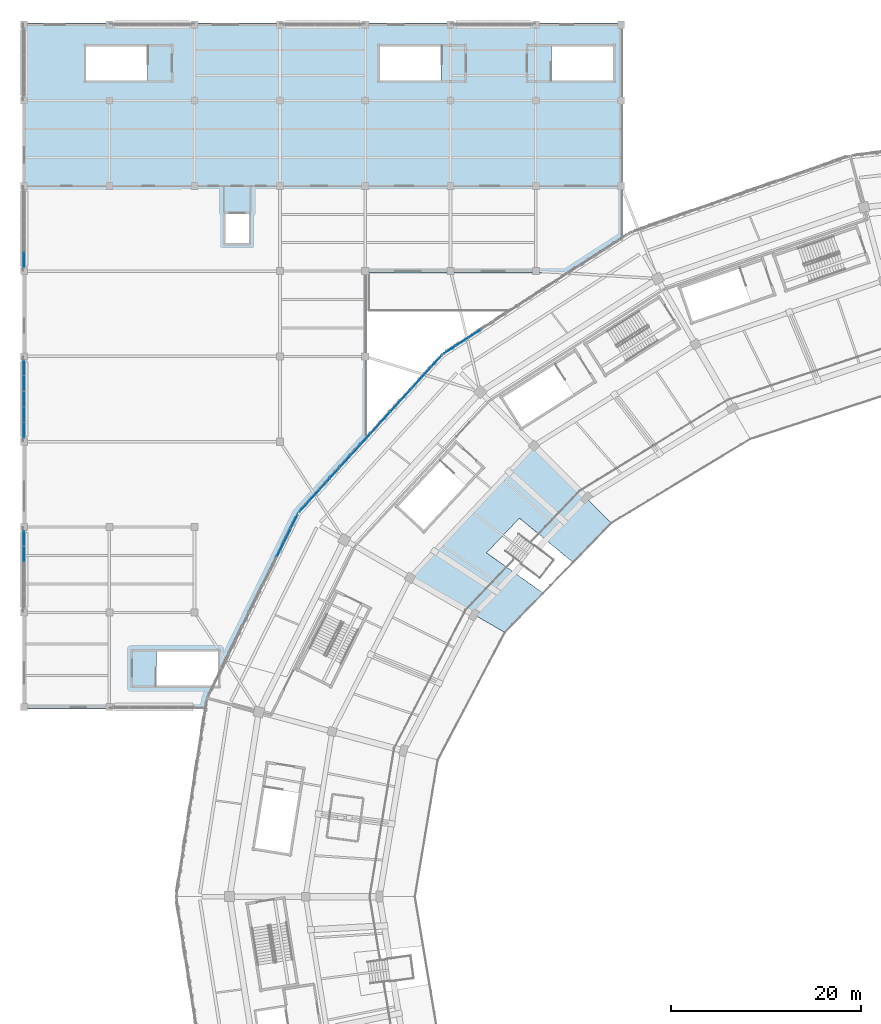
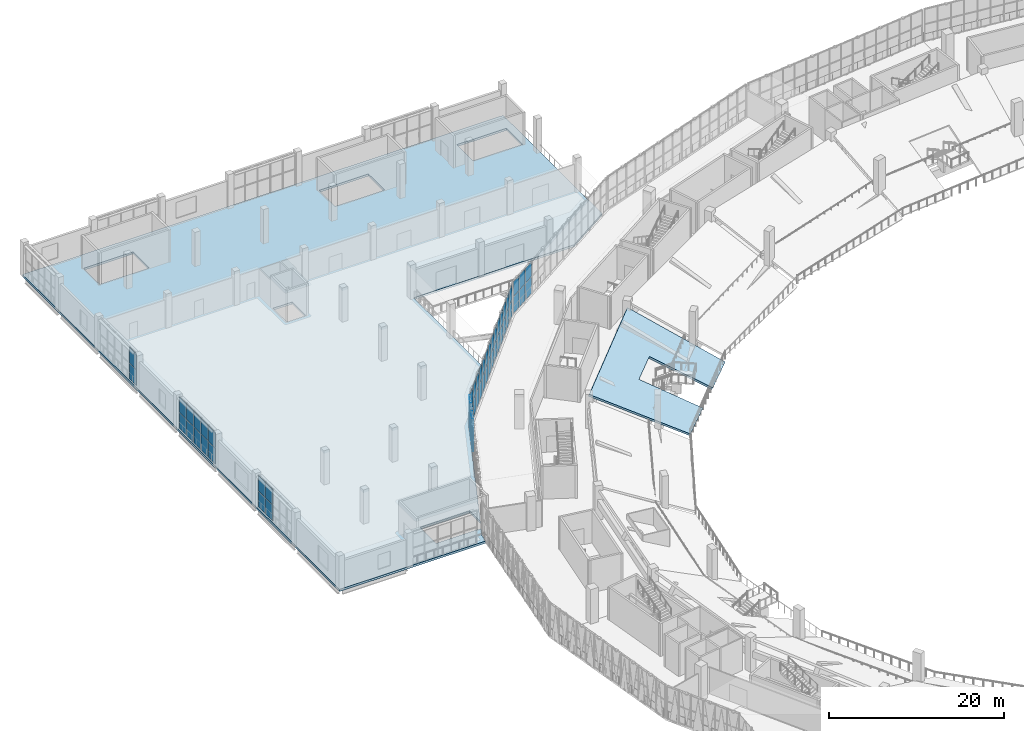
# One storey, part 82 of 152: 56 plates, 2 slabs, 6 elements without a shape of their own.
"""IFC4 building model written with IfcOpenShell, lengths in metres."""

import ifcopenshell
import ifcopenshell.guid

model = None  # the IFC model being written
_history = None  # IfcOwnerHistory: only IFC2X3 demands one
_inside = {}  # id of a spatial element -> (the spatial element, [elements in it])
_under = {}  # id of a project, library or spatial element -> (it, [spatial elements below it])
_declared = {}  # id of a project -> (the project, [libraries it declares])
_typed = {}  # id of a type object -> (the type object, [elements of that type])
_made_of = {}  # id of a material, layer set ... -> (it, [elements and type objects made of it])


def new_model(schema):
    """Start an empty IFC model of exactly this schema.

    Asked for "IFC4X3", IfcOpenShell would pick the latest addendum, in which some entities
    have other attributes; the version numbers below select the first issue.
    IFC2X3 requires an IfcOwnerHistory on every rooted entity: one is made here for all.
    """
    global model, _history
    if schema == "IFC4X3":
        model = ifcopenshell.file(schema_version=(4, 3, 0, 0))
    else:
        model = ifcopenshell.file(schema=schema)
    _inside.clear()
    _under.clear()
    _declared.clear()
    _typed.clear()
    _made_of.clear()
    _history = None
    if model.schema == "IFC2X3":
        org = make("IfcOrganization", Name="unknown")
        user = make(
            "IfcPersonAndOrganization",
            ThePerson=make("IfcPerson", FamilyName="unknown"),
            TheOrganization=org,
        )
        app = make(
            "IfcApplication",
            ApplicationDeveloper=org,
            Version="unknown",
            ApplicationFullName="unknown",
            ApplicationIdentifier="unknown",
        )
        _history = make(
            "IfcOwnerHistory",
            OwningUser=user,
            OwningApplication=app,
            ChangeAction="ADDED",
            CreationDate=0,
        )
    return model


def make(cls, **values):
    """One entity of the class cls with the attributes given. An attribute that is None is left unset."""
    return model.create_entity(
        cls, **{name: value for name, value in values.items() if value is not None}
    )


def rooted(cls, **values):
    """An entity with a GlobalId (a new one), such as an element, a storey or a relation."""
    return make(cls, GlobalId=ifcopenshell.guid.new(), OwnerHistory=_history, **values)


def si_unit(unit_type, name, prefix=None):
    """IfcSIUnit, for example si_unit("LENGTHUNIT", "METRE", prefix="MILLI")."""
    return make("IfcSIUnit", UnitType=unit_type, Prefix=prefix, Name=name)


def assignment(units):
    """IfcUnitAssignment: the units of a project."""
    return None if units is None else make("IfcUnitAssignment", Units=units)


def point(xyz):
    """IfcCartesianPoint."""
    return None if xyz is None else make("IfcCartesianPoint", Coordinates=xyz)


def direction(xyz):
    """IfcDirection."""
    return None if xyz is None else make("IfcDirection", DirectionRatios=xyz)


def frame(location, z_axis=None, x_axis=None):
    """IfcAxis2Placement3D, a coordinate frame: its origin and axes. An axis left out is left unset."""
    return make(
        "IfcAxis2Placement3D",
        Location=point(location),
        Axis=direction(z_axis),
        RefDirection=direction(x_axis),
    )


def frame_2d(location, x_axis=None):
    """IfcAxis2Placement2D, a coordinate frame in the plane: its origin and x axis."""
    return make(
        "IfcAxis2Placement2D", Location=point(location), RefDirection=direction(x_axis)
    )


def origin():
    """The frame at (0, 0, 0) with its axes left unset."""
    return frame((0.0, 0.0, 0.0))


def origin_2d():
    """The frame at (0, 0) in the plane with its x axis left unset."""
    return frame_2d((0.0, 0.0))


def place(relative_to, where):
    """IfcLocalPlacement: puts the frame where relative to a parent placement (None: the world)."""
    return make(
        "IfcLocalPlacement", PlacementRelTo=relative_to, RelativePlacement=where
    )


def context(
    kind, dimensions, precision=None, world=None, true_north=None, identifier=None
):
    """IfcGeometricRepresentationContext, for example the 3D "Model" context."""
    return make(
        "IfcGeometricRepresentationContext",
        ContextIdentifier=identifier,
        ContextType=kind,
        CoordinateSpaceDimension=dimensions,
        Precision=precision,
        WorldCoordinateSystem=world,
        TrueNorth=true_north,
    )


def subcontext(parent, identifier, kind, view, scale=None):
    """IfcGeometricRepresentationSubContext, for example "Body" below "Model"."""
    return make(
        "IfcGeometricRepresentationSubContext",
        ContextIdentifier=identifier,
        ContextType=kind,
        ParentContext=parent,
        TargetScale=scale,
        TargetView=view,
    )


def project(units=None, contexts=None):
    """IfcProject with its units and contexts."""
    return rooted(
        "IfcProject",
        Name="project",
        RepresentationContexts=contexts,
        UnitsInContext=assignment(units),
    )


def spatial(cls, under=None, at=None, **own):
    """A site, building, storey or space (cls), placed at a placement, below another one or the project."""
    s = rooted(cls, ObjectPlacement=at, **own)
    if under is not None:
        _under.setdefault(under.id(), (under, []))[1].append(s)
    return s


def polyline(points):
    """IfcPolyline through the points."""
    return make("IfcPolyline", Points=[point(p) for p in points])


def profile(cls, at=None, kind="AREA", **sizes):
    """A parametric profile (cls). Its sizes go by their IFC names, for example OverallWidth=200.0."""
    return make(cls, ProfileType=kind, Position=at, **sizes)


def rectangle(**sizes):
    """IfcRectangleProfileDef."""
    return profile("IfcRectangleProfileDef", **sizes)


def outline(outer, holes=None, kind="AREA"):
    """IfcArbitraryClosedProfileDef: a profile drawn as a closed curve; with holes, ...WithVoids."""
    if holes is None:
        return make("IfcArbitraryClosedProfileDef", ProfileType=kind, OuterCurve=outer)
    return make(
        "IfcArbitraryProfileDefWithVoids",
        ProfileType=kind,
        OuterCurve=outer,
        InnerCurves=holes,
    )


def extrude(swept, where, along, depth):
    """IfcExtrudedAreaSolid: the profile swept, set in the frame where, extruded along a direction by depth."""
    return make(
        "IfcExtrudedAreaSolid",
        SweptArea=swept,
        Position=where,
        ExtrudedDirection=direction(along),
        Depth=depth,
    )


def shape(context_of_items, identifier, shape_type, items):
    """IfcShapeRepresentation: the items that make up one representation, for example the "Body"."""
    return make(
        "IfcShapeRepresentation",
        ContextOfItems=context_of_items,
        RepresentationIdentifier=identifier,
        RepresentationType=shape_type,
        Items=items,
    )


def material(Name=None, Category=None):
    """IfcMaterial."""
    return make("IfcMaterial", Name=Name, Category=Category)


def layer(
    of_material, thickness, ventilated=None, Name=None, Category=None, Priority=None
):
    """IfcMaterialLayer: one layer of a wall or slab, of a material (None: an air gap)."""
    return make(
        "IfcMaterialLayer",
        Material=of_material,
        LayerThickness=thickness,
        IsVentilated=ventilated,
        Name=Name,
        Category=Category,
        Priority=Priority,
    )


def layer_set(layers, Name=None):
    """IfcMaterialLayerSet."""
    return make("IfcMaterialLayerSet", MaterialLayers=layers, LayerSetName=Name)


def made_of(thing, what):
    """Note that an element or type object is made of a material, layer set ...; save() writes the relation."""
    if what is not None:
        _made_of.setdefault(what.id(), (what, []))[1].append(thing)
    return thing


def type_object(cls, material=None, **own):
    """A type object (cls), such as IfcWallType, which elements share."""
    return made_of(rooted(cls, **own), material)


def element(
    cls,
    number,
    at=None,
    inside=None,
    cuts=None,
    type_object=None,
    material=None,
    context=None,
    identifier="Body",
    shape_type=None,
    held_by="IfcProductDefinitionShape",
    body=None,
    shapes=None,
    **own,
):
    """One element of the class cls, such as IfcWall. Its Tag is "e" and its number.

    at: its placement. inside: the storey or other place that contains it. cuts: it is an
    opening in that element (IfcRelVoidsElement). A single representation is given by context,
    identifier, shape_type and body (its items); several are given by shapes. held_by: the class
    of the entity that holds the representations. save() writes the other relations.
    """
    e = rooted(cls, Tag="e%d" % number, ObjectPlacement=at, **own)
    if body is not None:
        shapes = [shape(context, identifier, shape_type, body)]
    if shapes is not None:
        e.Representation = make(held_by, Representations=shapes)
    if inside is not None:
        _inside.setdefault(inside.id(), (inside, []))[1].append(e)
    if cuts is not None:
        rooted(
            "IfcRelVoidsElement", RelatingBuildingElement=cuts, RelatedOpeningElement=e
        )
    if type_object is not None:
        _typed.setdefault(type_object.id(), (type_object, []))[1].append(e)
    return made_of(e, material)


def aggregate(whole, parts):
    """IfcRelAggregates: a whole, such as a stair, and the parts it consists of."""
    return rooted("IfcRelAggregates", RelatingObject=whole, RelatedObjects=parts)


def save(model, path):
    """Write the relations noted so far, then the file.

    IfcRelAggregates (storeys below a building ...), IfcRelContainedInSpatialStructure (elements
    in a storey), IfcRelDefinesByType, IfcRelAssociatesMaterial and IfcRelDeclares: one each for
    every whole, place, type object, material and project.
    """
    for whole, parts in _under.values():
        aggregate(whole, parts)
    for where, things in _inside.values():
        rooted(
            "IfcRelContainedInSpatialStructure",
            RelatedElements=things,
            RelatingStructure=where,
        )
    for kind, things in _typed.values():
        rooted("IfcRelDefinesByType", RelatedObjects=things, RelatingType=kind)
    for what, things in _made_of.values():
        rooted("IfcRelAssociatesMaterial", RelatedObjects=things, RelatingMaterial=what)
    for by, libraries in _declared.values():
        rooted("IfcRelDeclares", RelatingContext=by, RelatedDefinitions=libraries)
    model.write(path)


model = new_model("IFC4")

# Units and contexts
model_context = context("Model", 3, precision=1e-05, world=origin(), true_north=direction((0.0, 1.0)))
body_context = subcontext(model_context, "Body", "Model", "MODEL_VIEW")
ifc_project = project(units=[si_unit("LENGTHUNIT", "METRE"), si_unit("AREAUNIT", "SQUARE_METRE"), si_unit("VOLUMEUNIT", "CUBIC_METRE"), si_unit("PLANEANGLEUNIT", "RADIAN"), si_unit("MASSUNIT", "GRAM", prefix="KILO")], contexts=[model_context])

# Site, building, storey
site_placement = place(None, origin())
site = spatial("IfcSite", under=ifc_project, at=site_placement, CompositionType="ELEMENT")
building_placement = place(site_placement, origin())
building = spatial("IfcBuilding", under=site, at=building_placement, Name="Zevraka Park Crest Stadium", CompositionType="ELEMENT")
storey_placement = place(building_placement, frame((0.0, 0.0, 15.0)))
storey = spatial("IfcBuildingStorey", under=building, at=storey_placement, Name="L03", CompositionType="ELEMENT", Elevation=15.0)

# Curtain wall, plates
ifc_material_1 = material(Name="Anodised architectural aluminium and laminated safety glass", Category="aluminium")
curtain_wall_type_1 = type_object("IfcCurtainWallType", Name="CW12", PredefinedType="NOTDEFINED", material=ifc_material_1)
curtain_wall_1_placement = place(storey_placement, origin())
curtain_wall_1 = element("IfcCurtainWall", 1, at=curtain_wall_1_placement, inside=storey, type_object=curtain_wall_type_1, Name="Unitised Ring Curtain Wall CW12 L03-10", PredefinedType="NOTDEFINED")
ifc_material_2 = material(Name="Solar-control laminated double glazing", Category="glass")
ifc_layer_1 = layer(ifc_material_2, 0.028076171875)
ifc_layer_set_1 = layer_set([ifc_layer_1], Name="Solar-control laminated double glazing")
plate_type_1 = type_object("IfcPlateType", Name="CP12", PredefinedType="CURTAIN_PANEL", material=ifc_layer_set_1)
plate_1_placement = place(storey_placement, frame((28.500244140625, 131.58154296875, 0.070068359375), z_axis=(0.0, 0.0, 1.0), x_axis=(-0.440666370912, -0.897670958396, 0.0)))
plate_1 = element("IfcPlate", 2, at=plate_1_placement, type_object=plate_type_1, Name="CW12 panel 1.1", PredefinedType="CURTAIN_PANEL", context=body_context, shape_type="SweptSolid", body=[
    extrude(rectangle(XDim=1.547607421875, YDim=0.028076171875, at=origin_2d()), origin(), (0.0, 0.0, 1.0), 2.294921875),
])
plate_2_placement = place(storey_placement, frame((28.500244140625, 131.58154296875, 2.43505859375), z_axis=(0.0, 0.0, 1.0), x_axis=(-0.440666370912, -0.897670958396, 0.0)))
plate_2 = element("IfcPlate", 3, at=plate_2_placement, type_object=plate_type_1, Name="CW12 panel 1.2", PredefinedType="CURTAIN_PANEL", context=body_context, shape_type="SweptSolid", body=[
    extrude(rectangle(XDim=1.547607421875, YDim=0.028076171875, at=origin_2d()), origin(), (0.0, 0.0, 1.0), 2.034912109375),
])
plate_3_placement = place(storey_placement, frame((27.779541015625, 130.11376953125, 0.070068359375), z_axis=(0.0, 0.0, 1.0), x_axis=(-0.440666370912, -0.897670958396, 0.0)))
plate_3 = element("IfcPlate", 4, at=plate_3_placement, type_object=plate_type_1, Name="CW12 panel 2.1", PredefinedType="CURTAIN_PANEL", context=body_context, shape_type="SweptSolid", body=[
    extrude(rectangle(XDim=1.58251953125, YDim=0.028076171875, at=origin_2d()), origin(), (0.0, 0.0, 1.0), 2.294921875),
])
plate_4_placement = place(storey_placement, frame((27.779541015625, 130.11376953125, 2.43505859375), z_axis=(0.0, 0.0, 1.0), x_axis=(-0.440666370912, -0.897670958396, 0.0)))
plate_4 = element("IfcPlate", 5, at=plate_4_placement, type_object=plate_type_1, Name="CW12 panel 2.2", PredefinedType="CURTAIN_PANEL", context=body_context, shape_type="SweptSolid", body=[
    extrude(rectangle(XDim=1.58251953125, YDim=0.028076171875, at=origin_2d()), origin(), (0.0, 0.0, 1.0), 2.034912109375),
])
plate_5_placement = place(storey_placement, frame((27.051513671875, 128.63037109375, 0.070068359375), z_axis=(0.0, 0.0, 1.0), x_axis=(-0.440666370912, -0.897670958396, 0.0)))
plate_5 = element("IfcPlate", 6, at=plate_5_placement, type_object=plate_type_1, Name="CW12 panel 3.1", PredefinedType="CURTAIN_PANEL", context=body_context, shape_type="SweptSolid", body=[
    extrude(rectangle(XDim=1.58251953125, YDim=0.028076171875, at=origin_2d()), origin(), (0.0, 0.0, 1.0), 2.294921875),
])
plate_6_placement = place(storey_placement, frame((27.051513671875, 128.63037109375, 2.43505859375), z_axis=(0.0, 0.0, 1.0), x_axis=(-0.440666370912, -0.897670958396, 0.0)))
plate_6 = element("IfcPlate", 7, at=plate_6_placement, type_object=plate_type_1, Name="CW12 panel 3.2", PredefinedType="CURTAIN_PANEL", context=body_context, shape_type="SweptSolid", body=[
    extrude(rectangle(XDim=1.58251953125, YDim=0.028076171875, at=origin_2d()), origin(), (0.0, 0.0, 1.0), 2.034912109375),
])
aggregate(curtain_wall_1, [plate_1, plate_2, plate_3, plate_4, plate_5, plate_6])

ifc_material_3 = material(Name="Anodised architectural aluminium and laminated safety glass", Category="aluminium")
curtain_wall_type_2 = type_object("IfcCurtainWallType", Name="CW13", PredefinedType="NOTDEFINED", material=ifc_material_3)
curtain_wall_2_placement = place(storey_placement, origin())
curtain_wall_2 = element("IfcCurtainWall", 8, at=curtain_wall_2_placement, inside=storey, type_object=curtain_wall_type_2, Name="Unitised Ring Curtain Wall CW13 L03-08", PredefinedType="NOTDEFINED")
ifc_material_4 = material(Name="Solar-control laminated double glazing", Category="glass")
ifc_layer_2 = layer(ifc_material_4, 0.031982421875)
ifc_layer_set_2 = layer_set([ifc_layer_2], Name="Solar-control laminated double glazing")
plate_type_2 = type_object("IfcPlateType", Name="CP13", PredefinedType="CURTAIN_PANEL", material=ifc_layer_set_2)
plate_7_placement = place(storey_placement, frame((47.553466796875, 151.405029296875, 0.06005859375), z_axis=(0.0, 0.0, 1.0), x_axis=(-0.839429134517, -0.543469160232, 0.0)))
plate_7 = element("IfcPlate", 9, at=plate_7_placement, type_object=plate_type_2, Name="CW13 panel 13.1", PredefinedType="CURTAIN_PANEL", context=body_context, shape_type="SweptSolid", body=[
    extrude(rectangle(XDim=1.500244140625, YDim=0.031982421875, at=origin_2d()), origin(), (0.0, 0.0, 1.0), 2.31005859375),
])
plate_8_placement = place(storey_placement, frame((47.553466796875, 151.405029296875, 2.43017578125), z_axis=(0.0, 0.0, 1.0), x_axis=(-0.839429134517, -0.543469160232, 0.0)))
plate_8 = element("IfcPlate", 10, at=plate_8_placement, type_object=plate_type_2, Name="CW13 panel 13.2", PredefinedType="CURTAIN_PANEL", context=body_context, shape_type="SweptSolid", body=[
    extrude(rectangle(XDim=1.500244140625, YDim=0.031982421875, at=origin_2d()), origin(), (0.0, 0.0, 1.0), 2.050048828125),
])
plate_9_placement = place(storey_placement, frame((46.24365234375, 150.556884765625, 0.06005859375), z_axis=(0.0, 0.0, 1.0), x_axis=(-0.839429134517, -0.543469160232, 0.0)))
plate_9 = element("IfcPlate", 11, at=plate_9_placement, type_object=plate_type_2, Name="CW13 panel 14.1", PredefinedType="CURTAIN_PANEL", context=body_context, shape_type="SweptSolid", body=[
    extrude(rectangle(XDim=1.500244140625, YDim=0.031982421875, at=origin_2d()), origin(), (0.0, 0.0, 1.0), 2.31005859375),
])
plate_10_placement = place(storey_placement, frame((46.24365234375, 150.556884765625, 2.43017578125), z_axis=(0.0, 0.0, 1.0), x_axis=(-0.839429134517, -0.543469160232, 0.0)))
plate_10 = element("IfcPlate", 12, at=plate_10_placement, type_object=plate_type_2, Name="CW13 panel 14.2", PredefinedType="CURTAIN_PANEL", context=body_context, shape_type="SweptSolid", body=[
    extrude(rectangle(XDim=1.500244140625, YDim=0.031982421875, at=origin_2d()), origin(), (0.0, 0.0, 1.0), 2.050048828125),
])
plate_11_placement = place(storey_placement, frame((44.946533203125, 149.717041015625, 0.06005859375), z_axis=(0.0, 0.0, 1.0), x_axis=(-0.839429134517, -0.543469160232, 0.0)))
plate_11 = element("IfcPlate", 13, at=plate_11_placement, type_object=plate_type_2, Name="CW13 panel 15.1", PredefinedType="CURTAIN_PANEL", context=body_context, shape_type="SweptSolid", body=[
    extrude(rectangle(XDim=1.470458984375, YDim=0.031982421875, at=origin_2d()), origin(), (0.0, 0.0, 1.0), 2.31005859375),
])
plate_12_placement = place(storey_placement, frame((44.946533203125, 149.717041015625, 2.43017578125), z_axis=(0.0, 0.0, 1.0), x_axis=(-0.839429134517, -0.543469160232, 0.0)))
plate_12 = element("IfcPlate", 14, at=plate_12_placement, type_object=plate_type_2, Name="CW13 panel 15.2", PredefinedType="CURTAIN_PANEL", context=body_context, shape_type="SweptSolid", body=[
    extrude(rectangle(XDim=1.470458984375, YDim=0.031982421875, at=origin_2d()), origin(), (0.0, 0.0, 1.0), 2.050048828125),
])
aggregate(curtain_wall_2, [plate_7, plate_8, plate_9, plate_10, plate_11, plate_12])

curtain_wall_3_placement = place(storey_placement, origin())
curtain_wall_3 = element("IfcCurtainWall", 15, at=curtain_wall_3_placement, inside=storey, type_object=curtain_wall_type_2, Name="Unitised Ring Curtain Wall CW13 L03-09", PredefinedType="NOTDEFINED")
plate_13_placement = place(storey_placement, frame((43.53466796875, 148.51611328125, 0.06005859375), z_axis=(0.0, 0.0, 1.0), x_axis=(-0.672801685845, -0.739822878481, 0.0)))
plate_13 = element("IfcPlate", 16, at=plate_13_placement, type_object=plate_type_2, Name="CW13 panel 1.1", PredefinedType="CURTAIN_PANEL", context=body_context, shape_type="SweptSolid", body=[
    extrude(rectangle(XDim=1.509765625, YDim=0.031982421875, at=origin_2d()), origin(), (0.0, 0.0, 1.0), 2.31005859375),
])
plate_14_placement = place(storey_placement, frame((43.53466796875, 148.51611328125, 2.43017578125), z_axis=(0.0, 0.0, 1.0), x_axis=(-0.672801685845, -0.739822878481, 0.0)))
plate_14 = element("IfcPlate", 17, at=plate_14_placement, type_object=plate_type_2, Name="CW13 panel 1.2", PredefinedType="CURTAIN_PANEL", context=body_context, shape_type="SweptSolid", body=[
    extrude(rectangle(XDim=1.509765625, YDim=0.031982421875, at=origin_2d()), origin(), (0.0, 0.0, 1.0), 2.050048828125),
])
plate_15_placement = place(storey_placement, frame((42.468505859375, 147.34375, 0.06005859375), z_axis=(0.0, 0.0, 1.0), x_axis=(-0.672801685845, -0.739822878481, 0.0)))
plate_15 = element("IfcPlate", 18, at=plate_15_placement, type_object=plate_type_2, Name="CW13 panel 2.1", PredefinedType="CURTAIN_PANEL", context=body_context, shape_type="SweptSolid", body=[
    extrude(rectangle(XDim=1.539794921875, YDim=0.031982421875, at=origin_2d()), origin(), (0.0, 0.0, 1.0), 2.31005859375),
])
plate_16_placement = place(storey_placement, frame((42.468505859375, 147.34375, 2.43017578125), z_axis=(0.0, 0.0, 1.0), x_axis=(-0.672801685845, -0.739822878481, 0.0)))
plate_16 = element("IfcPlate", 19, at=plate_16_placement, type_object=plate_type_2, Name="CW13 panel 2.2", PredefinedType="CURTAIN_PANEL", context=body_context, shape_type="SweptSolid", body=[
    extrude(rectangle(XDim=1.539794921875, YDim=0.031982421875, at=origin_2d()), origin(), (0.0, 0.0, 1.0), 2.050048828125),
])
plate_17_placement = place(storey_placement, frame((41.392333984375, 146.16015625, 0.06005859375), z_axis=(0.0, 0.0, 1.0), x_axis=(-0.672801685845, -0.739822878481, 0.0)))
plate_17 = element("IfcPlate", 20, at=plate_17_placement, type_object=plate_type_2, Name="CW13 panel 3.1", PredefinedType="CURTAIN_PANEL", context=body_context, shape_type="SweptSolid", body=[
    extrude(rectangle(XDim=1.539794921875, YDim=0.031982421875, at=origin_2d()), origin(), (0.0, 0.0, 1.0), 2.31005859375),
])
plate_18_placement = place(storey_placement, frame((41.392333984375, 146.16015625, 2.43017578125), z_axis=(0.0, 0.0, 1.0), x_axis=(-0.672801685845, -0.739822878481, 0.0)))
plate_18 = element("IfcPlate", 21, at=plate_18_placement, type_object=plate_type_2, Name="CW13 panel 3.2", PredefinedType="CURTAIN_PANEL", context=body_context, shape_type="SweptSolid", body=[
    extrude(rectangle(XDim=1.539794921875, YDim=0.031982421875, at=origin_2d()), origin(), (0.0, 0.0, 1.0), 2.050048828125),
])
plate_19_placement = place(storey_placement, frame((40.31591796875, 144.976806640625, 0.06005859375), z_axis=(0.0, 0.0, 1.0), x_axis=(-0.672801685845, -0.739822878481, 0.0)))
plate_19 = element("IfcPlate", 22, at=plate_19_placement, type_object=plate_type_2, Name="CW13 panel 4.1", PredefinedType="CURTAIN_PANEL", context=body_context, shape_type="SweptSolid", body=[
    extrude(rectangle(XDim=1.539794921875, YDim=0.031982421875, at=origin_2d()), origin(), (0.0, 0.0, 1.0), 2.31005859375),
])
plate_20_placement = place(storey_placement, frame((40.31591796875, 144.976806640625, 2.43017578125), z_axis=(0.0, 0.0, 1.0), x_axis=(-0.672801685845, -0.739822878481, 0.0)))
plate_20 = element("IfcPlate", 23, at=plate_20_placement, type_object=plate_type_2, Name="CW13 panel 4.2", PredefinedType="CURTAIN_PANEL", context=body_context, shape_type="SweptSolid", body=[
    extrude(rectangle(XDim=1.539794921875, YDim=0.031982421875, at=origin_2d()), origin(), (0.0, 0.0, 1.0), 2.050048828125),
])
plate_21_placement = place(storey_placement, frame((39.23974609375, 143.793212890625, 0.06005859375), z_axis=(0.0, 0.0, 1.0), x_axis=(-0.672801685845, -0.739822878481, 0.0)))
plate_21 = element("IfcPlate", 24, at=plate_21_placement, type_object=plate_type_2, Name="CW13 panel 5.1", PredefinedType="CURTAIN_PANEL", context=body_context, shape_type="SweptSolid", body=[
    extrude(rectangle(XDim=1.539794921875, YDim=0.031982421875, at=origin_2d()), origin(), (0.0, 0.0, 1.0), 2.31005859375),
])
plate_22_placement = place(storey_placement, frame((39.23974609375, 143.793212890625, 2.43017578125), z_axis=(0.0, 0.0, 1.0), x_axis=(-0.672801685845, -0.739822878481, 0.0)))
plate_22 = element("IfcPlate", 25, at=plate_22_placement, type_object=plate_type_2, Name="CW13 panel 5.2", PredefinedType="CURTAIN_PANEL", context=body_context, shape_type="SweptSolid", body=[
    extrude(rectangle(XDim=1.539794921875, YDim=0.031982421875, at=origin_2d()), origin(), (0.0, 0.0, 1.0), 2.050048828125),
])
plate_23_placement = place(storey_placement, frame((38.163330078125, 142.60986328125, 0.06005859375), z_axis=(0.0, 0.0, 1.0), x_axis=(-0.672801685845, -0.739822878481, 0.0)))
plate_23 = element("IfcPlate", 26, at=plate_23_placement, type_object=plate_type_2, Name="CW13 panel 6.1", PredefinedType="CURTAIN_PANEL", context=body_context, shape_type="SweptSolid", body=[
    extrude(rectangle(XDim=1.539794921875, YDim=0.031982421875, at=origin_2d()), origin(), (0.0, 0.0, 1.0), 2.31005859375),
])
plate_24_placement = place(storey_placement, frame((38.163330078125, 142.60986328125, 2.43017578125), z_axis=(0.0, 0.0, 1.0), x_axis=(-0.672801685845, -0.739822878481, 0.0)))
plate_24 = element("IfcPlate", 27, at=plate_24_placement, type_object=plate_type_2, Name="CW13 panel 6.2", PredefinedType="CURTAIN_PANEL", context=body_context, shape_type="SweptSolid", body=[
    extrude(rectangle(XDim=1.539794921875, YDim=0.031982421875, at=origin_2d()), origin(), (0.0, 0.0, 1.0), 2.050048828125),
])
plate_25_placement = place(storey_placement, frame((37.087158203125, 141.42626953125, 0.06005859375), z_axis=(0.0, 0.0, 1.0), x_axis=(-0.672801685845, -0.739822878481, 0.0)))
plate_25 = element("IfcPlate", 28, at=plate_25_placement, type_object=plate_type_2, Name="CW13 panel 7.1", PredefinedType="CURTAIN_PANEL", context=body_context, shape_type="SweptSolid", body=[
    extrude(rectangle(XDim=1.539794921875, YDim=0.031982421875, at=origin_2d()), origin(), (0.0, 0.0, 1.0), 2.31005859375),
])
plate_26_placement = place(storey_placement, frame((37.087158203125, 141.42626953125, 2.43017578125), z_axis=(0.0, 0.0, 1.0), x_axis=(-0.672801685845, -0.739822878481, 0.0)))
plate_26 = element("IfcPlate", 29, at=plate_26_placement, type_object=plate_type_2, Name="CW13 panel 7.2", PredefinedType="CURTAIN_PANEL", context=body_context, shape_type="SweptSolid", body=[
    extrude(rectangle(XDim=1.539794921875, YDim=0.031982421875, at=origin_2d()), origin(), (0.0, 0.0, 1.0), 2.050048828125),
])
plate_27_placement = place(storey_placement, frame((36.0107421875, 140.24267578125, 0.06005859375), z_axis=(0.0, 0.0, 1.0), x_axis=(-0.672801685845, -0.739822878481, 0.0)))
plate_27 = element("IfcPlate", 30, at=plate_27_placement, type_object=plate_type_2, Name="CW13 panel 8.1", PredefinedType="CURTAIN_PANEL", context=body_context, shape_type="SweptSolid", body=[
    extrude(rectangle(XDim=1.539794921875, YDim=0.031982421875, at=origin_2d()), origin(), (0.0, 0.0, 1.0), 2.31005859375),
])
plate_28_placement = place(storey_placement, frame((36.0107421875, 140.24267578125, 2.43017578125), z_axis=(0.0, 0.0, 1.0), x_axis=(-0.672801685845, -0.739822878481, 0.0)))
plate_28 = element("IfcPlate", 31, at=plate_28_placement, type_object=plate_type_2, Name="CW13 panel 8.2", PredefinedType="CURTAIN_PANEL", context=body_context, shape_type="SweptSolid", body=[
    extrude(rectangle(XDim=1.539794921875, YDim=0.031982421875, at=origin_2d()), origin(), (0.0, 0.0, 1.0), 2.050048828125),
])
plate_29_placement = place(storey_placement, frame((34.9345703125, 139.059326171875, 0.06005859375), z_axis=(0.0, 0.0, 1.0), x_axis=(-0.672801685845, -0.739822878481, 0.0)))
plate_29 = element("IfcPlate", 32, at=plate_29_placement, type_object=plate_type_2, Name="CW13 panel 9.1", PredefinedType="CURTAIN_PANEL", context=body_context, shape_type="SweptSolid", body=[
    extrude(rectangle(XDim=1.539794921875, YDim=0.031982421875, at=origin_2d()), origin(), (0.0, 0.0, 1.0), 2.31005859375),
])
plate_30_placement = place(storey_placement, frame((34.9345703125, 139.059326171875, 2.43017578125), z_axis=(0.0, 0.0, 1.0), x_axis=(-0.672801685845, -0.739822878481, 0.0)))
plate_30 = element("IfcPlate", 33, at=plate_30_placement, type_object=plate_type_2, Name="CW13 panel 9.2", PredefinedType="CURTAIN_PANEL", context=body_context, shape_type="SweptSolid", body=[
    extrude(rectangle(XDim=1.539794921875, YDim=0.031982421875, at=origin_2d()), origin(), (0.0, 0.0, 1.0), 2.050048828125),
])
plate_31_placement = place(storey_placement, frame((33.8583984375, 137.875732421875, 0.06005859375), z_axis=(0.0, 0.0, 1.0), x_axis=(-0.672801685845, -0.739822878481, 0.0)))
plate_31 = element("IfcPlate", 34, at=plate_31_placement, type_object=plate_type_2, Name="CW13 panel 10.1", PredefinedType="CURTAIN_PANEL", context=body_context, shape_type="SweptSolid", body=[
    extrude(rectangle(XDim=1.539794921875, YDim=0.031982421875, at=origin_2d()), origin(), (0.0, 0.0, 1.0), 2.31005859375),
])
plate_32_placement = place(storey_placement, frame((33.8583984375, 137.875732421875, 2.43017578125), z_axis=(0.0, 0.0, 1.0), x_axis=(-0.672801685845, -0.739822878481, 0.0)))
plate_32 = element("IfcPlate", 35, at=plate_32_placement, type_object=plate_type_2, Name="CW13 panel 10.2", PredefinedType="CURTAIN_PANEL", context=body_context, shape_type="SweptSolid", body=[
    extrude(rectangle(XDim=1.539794921875, YDim=0.031982421875, at=origin_2d()), origin(), (0.0, 0.0, 1.0), 2.050048828125),
])
plate_33_placement = place(storey_placement, frame((32.781982421875, 136.692138671875, 0.06005859375), z_axis=(0.0, 0.0, 1.0), x_axis=(-0.672801685845, -0.739822878481, 0.0)))
plate_33 = element("IfcPlate", 36, at=plate_33_placement, type_object=plate_type_2, Name="CW13 panel 11.1", PredefinedType="CURTAIN_PANEL", context=body_context, shape_type="SweptSolid", body=[
    extrude(rectangle(XDim=1.539794921875, YDim=0.031982421875, at=origin_2d()), origin(), (0.0, 0.0, 1.0), 2.31005859375),
])
plate_34_placement = place(storey_placement, frame((32.781982421875, 136.692138671875, 2.43017578125), z_axis=(0.0, 0.0, 1.0), x_axis=(-0.672801685845, -0.739822878481, 0.0)))
plate_34 = element("IfcPlate", 37, at=plate_34_placement, type_object=plate_type_2, Name="CW13 panel 11.2", PredefinedType="CURTAIN_PANEL", context=body_context, shape_type="SweptSolid", body=[
    extrude(rectangle(XDim=1.539794921875, YDim=0.031982421875, at=origin_2d()), origin(), (0.0, 0.0, 1.0), 2.050048828125),
])
plate_35_placement = place(storey_placement, frame((31.705810546875, 135.5087890625, 0.06005859375), z_axis=(0.0, 0.0, 1.0), x_axis=(-0.672801685845, -0.739822878481, 0.0)))
plate_35 = element("IfcPlate", 38, at=plate_35_placement, type_object=plate_type_2, Name="CW13 panel 12.1", PredefinedType="CURTAIN_PANEL", context=body_context, shape_type="SweptSolid", body=[
    extrude(rectangle(XDim=1.539794921875, YDim=0.031982421875, at=origin_2d()), origin(), (0.0, 0.0, 1.0), 2.31005859375),
])
plate_36_placement = place(storey_placement, frame((31.705810546875, 135.5087890625, 2.43017578125), z_axis=(0.0, 0.0, 1.0), x_axis=(-0.672801685845, -0.739822878481, 0.0)))
plate_36 = element("IfcPlate", 39, at=plate_36_placement, type_object=plate_type_2, Name="CW13 panel 12.2", PredefinedType="CURTAIN_PANEL", context=body_context, shape_type="SweptSolid", body=[
    extrude(rectangle(XDim=1.539794921875, YDim=0.031982421875, at=origin_2d()), origin(), (0.0, 0.0, 1.0), 2.050048828125),
])
plate_37_placement = place(storey_placement, frame((30.62939453125, 134.3251953125, 0.06005859375), z_axis=(0.0, 0.0, 1.0), x_axis=(-0.672801685845, -0.739822878481, 0.0)))
plate_37 = element("IfcPlate", 40, at=plate_37_placement, type_object=plate_type_2, Name="CW13 panel 13.1", PredefinedType="CURTAIN_PANEL", context=body_context, shape_type="SweptSolid", body=[
    extrude(rectangle(XDim=1.539794921875, YDim=0.031982421875, at=origin_2d()), origin(), (0.0, 0.0, 1.0), 2.31005859375),
])
plate_38_placement = place(storey_placement, frame((30.62939453125, 134.3251953125, 2.43017578125), z_axis=(0.0, 0.0, 1.0), x_axis=(-0.672801685845, -0.739822878481, 0.0)))
plate_38 = element("IfcPlate", 41, at=plate_38_placement, type_object=plate_type_2, Name="CW13 panel 13.2", PredefinedType="CURTAIN_PANEL", context=body_context, shape_type="SweptSolid", body=[
    extrude(rectangle(XDim=1.539794921875, YDim=0.031982421875, at=origin_2d()), origin(), (0.0, 0.0, 1.0), 2.050048828125),
])
plate_39_placement = place(storey_placement, frame((29.563232421875, 133.15283203125, 0.06005859375), z_axis=(0.0, 0.0, 1.0), x_axis=(-0.672801685845, -0.739822878481, 0.0)))
plate_39 = element("IfcPlate", 42, at=plate_39_placement, type_object=plate_type_2, Name="CW13 panel 14.1", PredefinedType="CURTAIN_PANEL", context=body_context, shape_type="SweptSolid", body=[
    extrude(rectangle(XDim=1.509765625, YDim=0.031982421875, at=origin_2d()), origin(), (0.0, 0.0, 1.0), 2.31005859375),
])
plate_40_placement = place(storey_placement, frame((29.563232421875, 133.15283203125, 2.43017578125), z_axis=(0.0, 0.0, 1.0), x_axis=(-0.672801685845, -0.739822878481, 0.0)))
plate_40 = element("IfcPlate", 43, at=plate_40_placement, type_object=plate_type_2, Name="CW13 panel 14.2", PredefinedType="CURTAIN_PANEL", context=body_context, shape_type="SweptSolid", body=[
    extrude(rectangle(XDim=1.509765625, YDim=0.031982421875, at=origin_2d()), origin(), (0.0, 0.0, 1.0), 2.050048828125),
])
aggregate(curtain_wall_3, [plate_13, plate_14, plate_15, plate_16, plate_17, plate_18, plate_19, plate_20, plate_21, plate_22, plate_23, plate_24, plate_25, plate_26, plate_27, plate_28, plate_29, plate_30, plate_31, plate_32, plate_33, plate_34, plate_35, plate_36, plate_37, plate_38, plate_39, plate_40])

ifc_material_5 = material(Name="Anodised architectural aluminium and laminated safety glass", Category="aluminium")
curtain_wall_type_3 = type_object("IfcCurtainWallType", Name="CW27", PredefinedType="NOTDEFINED", material=ifc_material_5)
curtain_wall_4_placement = place(storey_placement, origin())
curtain_wall_4 = element("IfcCurtainWall", 44, at=curtain_wall_4_placement, inside=storey, type_object=curtain_wall_type_3, Name="Wing Curtain Wall CW27 L03-NW-W-4", PredefinedType="NOTDEFINED")
ifc_material_6 = material(Name="Solar-control laminated double glazing", Category="glass")
ifc_layer_3 = layer(ifc_material_6, 0.035888671875)
ifc_layer_set_3 = layer_set([ifc_layer_3], Name="Solar-control laminated double glazing")
plate_type_3 = type_object("IfcPlateType", Name="CP27", PredefinedType="CURTAIN_PANEL", material=ifc_layer_set_3)
plate_41_placement = place(storey_placement, frame((0.0, 141.20947265625, 0.06982421875), z_axis=(0.0, 0.0, 1.0), x_axis=(0.0, 1.0, 0.0)))
plate_41 = element("IfcPlate", 45, at=plate_41_placement, type_object=plate_type_3, Name="CW27 panel 1.1", PredefinedType="CURTAIN_PANEL", context=body_context, shape_type="SweptSolid", body=[
    extrude(rectangle(XDim=1.549072265625, YDim=0.035888671875, at=origin_2d()), origin(), (0.0, 0.0, 1.0), 2.195068359375),
])
plate_42_placement = place(storey_placement, frame((0.0, 141.20947265625, 2.3349609375), z_axis=(0.0, 0.0, 1.0), x_axis=(0.0, 1.0, 0.0)))
plate_42 = element("IfcPlate", 46, at=plate_42_placement, type_object=plate_type_3, Name="CW27 panel 1.2", PredefinedType="CURTAIN_PANEL", context=body_context, shape_type="SweptSolid", body=[
    extrude(rectangle(XDim=1.549072265625, YDim=0.035888671875, at=origin_2d()), origin(), (0.0, 0.0, 1.0), 2.135009765625),
])
plate_43_placement = place(storey_placement, frame((0.0, 142.845947265625, 0.06982421875), z_axis=(0.0, 0.0, 1.0), x_axis=(0.0, 1.0, 0.0)))
plate_43 = element("IfcPlate", 47, at=plate_43_placement, type_object=plate_type_3, Name="CW27 panel 2.1", PredefinedType="CURTAIN_PANEL", context=body_context, shape_type="SweptSolid", body=[
    extrude(rectangle(XDim=1.583984375, YDim=0.035888671875, at=origin_2d()), origin(), (0.0, 0.0, 1.0), 2.195068359375),
])
plate_44_placement = place(storey_placement, frame((0.0, 142.845947265625, 2.3349609375), z_axis=(0.0, 0.0, 1.0), x_axis=(0.0, 1.0, 0.0)))
plate_44 = element("IfcPlate", 48, at=plate_44_placement, type_object=plate_type_3, Name="CW27 panel 2.2", PredefinedType="CURTAIN_PANEL", context=body_context, shape_type="SweptSolid", body=[
    extrude(rectangle(XDim=1.583984375, YDim=0.035888671875, at=origin_2d()), origin(), (0.0, 0.0, 1.0), 2.135009765625),
])
plate_45_placement = place(storey_placement, frame((0.0, 144.5, 0.06982421875), z_axis=(0.0, 0.0, 1.0), x_axis=(0.0, 1.0, 0.0)))
plate_45 = element("IfcPlate", 49, at=plate_45_placement, type_object=plate_type_3, Name="CW27 panel 3.1", PredefinedType="CURTAIN_PANEL", context=body_context, shape_type="SweptSolid", body=[
    extrude(rectangle(XDim=1.583984375, YDim=0.035888671875, at=origin_2d()), origin(), (0.0, 0.0, 1.0), 2.195068359375),
])
plate_46_placement = place(storey_placement, frame((0.0, 144.5, 2.3349609375), z_axis=(0.0, 0.0, 1.0), x_axis=(0.0, 1.0, 0.0)))
plate_46 = element("IfcPlate", 50, at=plate_46_placement, type_object=plate_type_3, Name="CW27 panel 3.2", PredefinedType="CURTAIN_PANEL", context=body_context, shape_type="SweptSolid", body=[
    extrude(rectangle(XDim=1.583984375, YDim=0.035888671875, at=origin_2d()), origin(), (0.0, 0.0, 1.0), 2.135009765625),
])
plate_47_placement = place(storey_placement, frame((0.0, 146.154052734375, 0.06982421875), z_axis=(0.0, 0.0, 1.0), x_axis=(0.0, 1.0, 0.0)))
plate_47 = element("IfcPlate", 51, at=plate_47_placement, type_object=plate_type_3, Name="CW27 panel 4.1", PredefinedType="CURTAIN_PANEL", context=body_context, shape_type="SweptSolid", body=[
    extrude(rectangle(XDim=1.583984375, YDim=0.035888671875, at=origin_2d()), origin(), (0.0, 0.0, 1.0), 2.195068359375),
])
plate_48_placement = place(storey_placement, frame((0.0, 146.154052734375, 2.3349609375), z_axis=(0.0, 0.0, 1.0), x_axis=(0.0, 1.0, 0.0)))
plate_48 = element("IfcPlate", 52, at=plate_48_placement, type_object=plate_type_3, Name="CW27 panel 4.2", PredefinedType="CURTAIN_PANEL", context=body_context, shape_type="SweptSolid", body=[
    extrude(rectangle(XDim=1.583984375, YDim=0.035888671875, at=origin_2d()), origin(), (0.0, 0.0, 1.0), 2.135009765625),
])
plate_49_placement = place(storey_placement, frame((0.0, 147.79052734375, 0.06982421875), z_axis=(0.0, 0.0, 1.0), x_axis=(0.0, 1.0, 0.0)))
plate_49 = element("IfcPlate", 53, at=plate_49_placement, type_object=plate_type_3, Name="CW27 panel 5.1", PredefinedType="CURTAIN_PANEL", context=body_context, shape_type="SweptSolid", body=[
    extrude(rectangle(XDim=1.549072265625, YDim=0.035888671875, at=origin_2d()), origin(), (0.0, 0.0, 1.0), 2.195068359375),
])
plate_50_placement = place(storey_placement, frame((0.0, 147.79052734375, 2.3349609375), z_axis=(0.0, 0.0, 1.0), x_axis=(0.0, 1.0, 0.0)))
plate_50 = element("IfcPlate", 54, at=plate_50_placement, type_object=plate_type_3, Name="CW27 panel 5.2", PredefinedType="CURTAIN_PANEL", context=body_context, shape_type="SweptSolid", body=[
    extrude(rectangle(XDim=1.549072265625, YDim=0.035888671875, at=origin_2d()), origin(), (0.0, 0.0, 1.0), 2.135009765625),
])
aggregate(curtain_wall_4, [plate_41, plate_42, plate_43, plate_44, plate_45, plate_46, plate_47, plate_48, plate_49, plate_50])

ifc_material_7 = material(Name="Anodised architectural aluminium and laminated safety glass", Category="aluminium")
curtain_wall_type_4 = type_object("IfcCurtainWallType", Name="CW29", PredefinedType="NOTDEFINED", material=ifc_material_7)
curtain_wall_5_placement = place(storey_placement, origin())
curtain_wall_5 = element("IfcCurtainWall", 55, at=curtain_wall_5_placement, inside=storey, type_object=curtain_wall_type_4, Name="Wing Curtain Wall CW29 L03-NW-W-6", PredefinedType="NOTDEFINED")
ifc_material_8 = material(Name="Solar-control laminated double glazing", Category="glass")
ifc_layer_4 = layer(ifc_material_8, 0.035888671875)
ifc_layer_set_4 = layer_set([ifc_layer_4], Name="Solar-control laminated double glazing")
plate_type_4 = type_object("IfcPlateType", Name="CP29", PredefinedType="CURTAIN_PANEL", material=ifc_layer_set_4)
plate_51_placement = place(storey_placement, frame((0.0, 159.208251953125, 0.06494140625), z_axis=(0.0, 0.0, 1.0), x_axis=(0.0, 1.0, 0.0)))
plate_51 = element("IfcPlate", 56, at=plate_51_placement, type_object=plate_type_4, Name="CW29 panel 1.1", PredefinedType="CURTAIN_PANEL", context=body_context, shape_type="SweptSolid", body=[
    extrude(rectangle(XDim=1.556396484375, YDim=0.035888671875, at=origin_2d()), origin(), (0.0, 0.0, 1.0), 2.202392578125),
])
plate_52_placement = place(storey_placement, frame((0.0, 159.208251953125, 2.33251953125), z_axis=(0.0, 0.0, 1.0), x_axis=(0.0, 1.0, 0.0)))
plate_52 = element("IfcPlate", 57, at=plate_52_placement, type_object=plate_type_4, Name="CW29 panel 1.2", PredefinedType="CURTAIN_PANEL", context=body_context, shape_type="SweptSolid", body=[
    extrude(rectangle(XDim=1.556396484375, YDim=0.035888671875, at=origin_2d()), origin(), (0.0, 0.0, 1.0), 2.142578125),
])
aggregate(curtain_wall_5, [plate_51, plate_52])

ifc_material_9 = material(Name="Anodised architectural aluminium and laminated safety glass", Category="aluminium")
curtain_wall_type_5 = type_object("IfcCurtainWallType", Name="CW30", PredefinedType="NOTDEFINED", material=ifc_material_9)
curtain_wall_6_placement = place(storey_placement, origin())
curtain_wall_6 = element("IfcCurtainWall", 58, at=curtain_wall_6_placement, inside=storey, type_object=curtain_wall_type_5, Name="Wing Curtain Wall CW30 L03-NW-W-2", PredefinedType="NOTDEFINED")
ifc_material_10 = material(Name="Solar-control laminated double glazing", Category="glass")
ifc_layer_5 = layer(ifc_material_10, 0.035888671875)
ifc_layer_set_5 = layer_set([ifc_layer_5], Name="Solar-control laminated double glazing")
plate_type_5 = type_object("IfcPlateType", Name="CP30", PredefinedType="CURTAIN_PANEL", material=ifc_layer_set_5)
plate_53_placement = place(storey_placement, frame((0.0, 128.154052734375, 0.06982421875), z_axis=(0.0, 0.0, 1.0), x_axis=(0.0, 1.0, 0.0)))
plate_53 = element("IfcPlate", 59, at=plate_53_placement, type_object=plate_type_5, Name="CW30 panel 4.1", PredefinedType="CURTAIN_PANEL", context=body_context, shape_type="SweptSolid", body=[
    extrude(rectangle(XDim=1.583984375, YDim=0.035888671875, at=origin_2d()), origin(), (0.0, 0.0, 1.0), 2.195068359375),
])
plate_54_placement = place(storey_placement, frame((0.0, 128.154052734375, 2.3349609375), z_axis=(0.0, 0.0, 1.0), x_axis=(0.0, 1.0, 0.0)))
plate_54 = element("IfcPlate", 60, at=plate_54_placement, type_object=plate_type_5, Name="CW30 panel 4.2", PredefinedType="CURTAIN_PANEL", context=body_context, shape_type="SweptSolid", body=[
    extrude(rectangle(XDim=1.583984375, YDim=0.035888671875, at=origin_2d()), origin(), (0.0, 0.0, 1.0), 2.135009765625),
])
plate_55_placement = place(storey_placement, frame((0.0, 129.79052734375, 0.06982421875), z_axis=(0.0, 0.0, 1.0), x_axis=(0.0, 1.0, 0.0)))
plate_55 = element("IfcPlate", 61, at=plate_55_placement, type_object=plate_type_5, Name="CW30 panel 5.1", PredefinedType="CURTAIN_PANEL", context=body_context, shape_type="SweptSolid", body=[
    extrude(rectangle(XDim=1.549072265625, YDim=0.035888671875, at=origin_2d()), origin(), (0.0, 0.0, 1.0), 2.195068359375),
])
plate_56_placement = place(storey_placement, frame((0.0, 129.79052734375, 2.3349609375), z_axis=(0.0, 0.0, 1.0), x_axis=(0.0, 1.0, 0.0)))
plate_56 = element("IfcPlate", 62, at=plate_56_placement, type_object=plate_type_5, Name="CW30 panel 5.2", PredefinedType="CURTAIN_PANEL", context=body_context, shape_type="SweptSolid", body=[
    extrude(rectangle(XDim=1.549072265625, YDim=0.035888671875, at=origin_2d()), origin(), (0.0, 0.0, 1.0), 2.135009765625),
])
aggregate(curtain_wall_6, [plate_53, plate_54, plate_55, plate_56])

# Slabs
ifc_material_11 = material(Name="Concrete C35/45", Category="concrete")
ifc_layer_6 = layer(ifc_material_11, 0.300048828125)
ifc_layer_set_6 = layer_set([ifc_layer_6], Name="Concrete C35/45")
slab_type_1 = type_object("IfcSlabType", Name="FS01", PredefinedType="FLOOR", material=ifc_layer_set_6)
slab_1_placement = place(storey_placement, frame((0.0, 0.0, -0.300048828125)))
element("IfcSlab", 63, at=slab_1_placement, inside=storey, type_object=slab_type_1, Name="Northwest Garden-Court Shaded Veranda and Community Sports Wing Floor Slab L03-1", PredefinedType="FLOOR", context=body_context, shape_type="SweptSolid", body=[
    extrude(outline(polyline([(-0.175048828125, 184.175048828125), (63.175048828125, 184.175048828125), (63.175048828125, 161.6201171875), (57.31396484375, 157.824951171875), (36.175048828125, 157.824951171875), (36.175048828125, 140.549072265625), (28.85791015625, 132.5029296875), (20.5, 115.47900390625), (20.5, 117.909912109375), (13.97998046875, 117.909912109375), (13.97998046875, 114.25), (19.89697265625, 114.25), (19.26708984375, 112.966064453125), (19.087890625, 111.824951171875), (-0.175048828125, 111.824951171875), (-0.175048828125, 184.175048828125)]), holes=[polyline([(21.25, 164.050048828125), (21.25, 160.949951171875), (23.75, 160.949951171875), (23.75, 164.050048828125), (21.25, 164.050048828125)]), polyline([(13.02001953125, 178.090087890625), (13.02001953125, 181.75), (6.5, 181.75), (6.5, 178.090087890625), (13.02001953125, 178.090087890625)]), polyline([(37.5, 178.090087890625), (44.02001953125, 178.090087890625), (44.02001953125, 181.75), (37.5, 181.75), (37.5, 178.090087890625)]), polyline([(62.199951171875, 181.75), (55.679931640625, 181.75), (55.679931640625, 178.090087890625), (62.199951171875, 178.090087890625), (62.199951171875, 181.75)])]), origin(), (0.0, 0.0, 1.0), 0.300048828125),
])
ifc_material_12 = material(Name="Concrete C35/45", Category="concrete")
ifc_layer_7 = layer(ifc_material_12, 0.27001953125)
ifc_layer_set_7 = layer_set([ifc_layer_7], Name="Concrete C35/45")
slab_type_2 = type_object("IfcSlabType", Name="STU1", PredefinedType="USERDEFINED", material=ifc_layer_set_7)
slab_2_placement = place(storey_placement, frame((61.971923828125, 131.4208984375, -1.953857421875), z_axis=(0.34328722083, -0.263409767464, 0.901537119823), x_axis=(-0.696453604016, -0.715400022966, 0.056171029848)))
element("IfcSlab", 64, at=slab_2_placement, inside=storey, type_object=slab_type_2, Name="Upper Tier Cantilevered Raked Seating Slab 09", ObjectType="SEATING TIER", PredefinedType="USERDEFINED", context=body_context, shape_type="SweptSolid", body=[
    extrude(outline(polyline([(0.0, 0.0), (5.8107011225850576, 5.551115123125783e-16), (6.598123318854519, -8.095844050350983), (11.653541121028875, -8.027480503985576), (10.330394261593865, -0.0022642888604069433), (16.141095384178918, -0.0022642888604063605), (19.285027792487867, -12.401088221853069), (0.15398599053151368, -12.789951430831746), (0.0, 0.0)])), origin(), (0.0, 0.0, -1.0), 0.27001953125),
])

save(model, "model.ifc")
